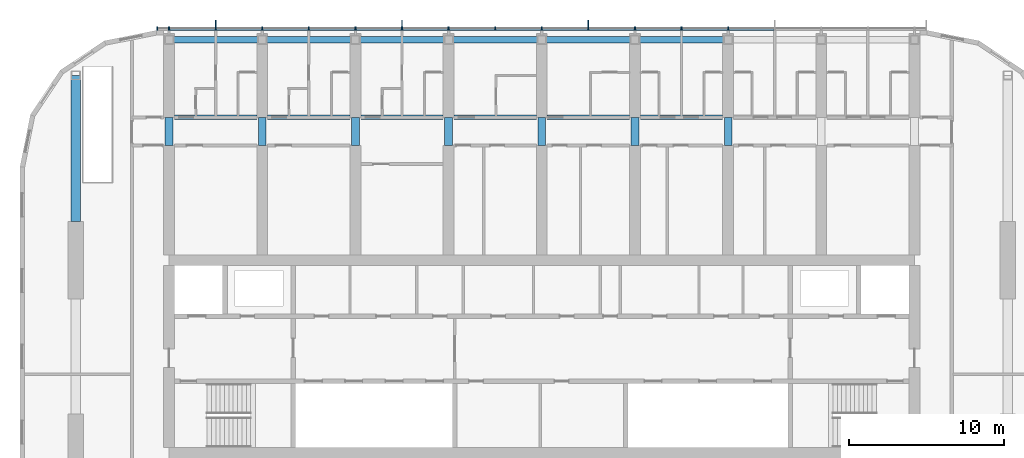
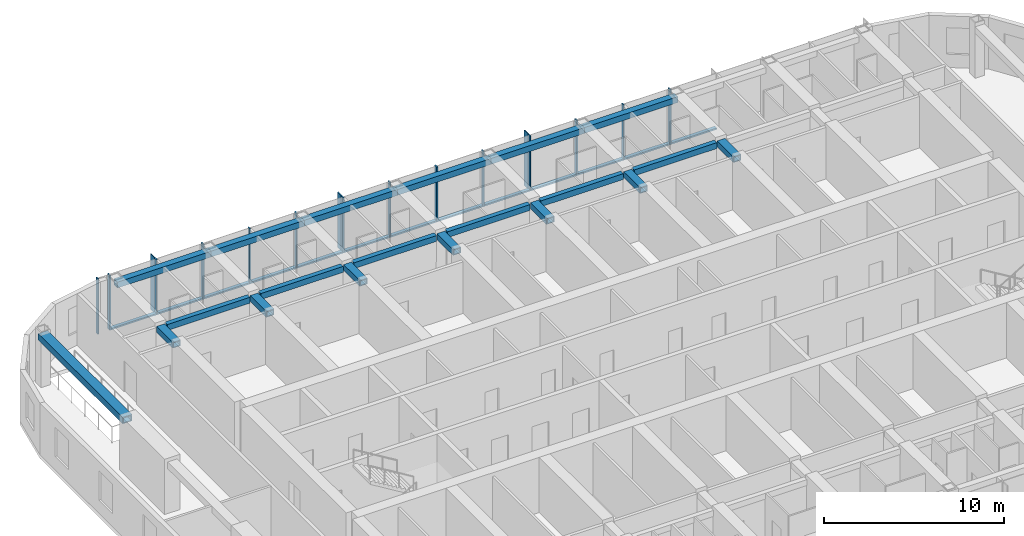
# One storey, part 4 of 24: 30 members, 20 beams, 1 element without a shape of its own.
"""IFC4 building model written with IfcOpenShell, lengths in metres."""

from ifc_helpers import new_model, si_unit, direction, frame, origin, origin_2d, place, context, subcontext, project, spatial, rectangle, hollow_rectangle, extrude, material, material_profile, profile_set, type_object, element, aggregate, save


model = new_model("IFC4")

# Units and contexts
model_context = context("Model", 3, precision=1e-05, world=origin(), true_north=direction((0.0, 1.0)))
body_context = subcontext(model_context, "Body", "Model", "MODEL_VIEW")
ifc_project = project(units=[si_unit("LENGTHUNIT", "METRE"), si_unit("AREAUNIT", "SQUARE_METRE"), si_unit("VOLUMEUNIT", "CUBIC_METRE"), si_unit("PLANEANGLEUNIT", "RADIAN"), si_unit("MASSUNIT", "GRAM", prefix="KILO")], contexts=[model_context])

# Site, building, storey
site_placement = place(None, origin())
site = spatial("IfcSite", under=ifc_project, at=site_placement, CompositionType="ELEMENT")
building_placement = place(site_placement, origin())
building = spatial("IfcBuilding", under=site, at=building_placement, Name="Orbita Commons", CompositionType="ELEMENT")
storey_placement = place(building_placement, frame((0.0, 0.0, 235.300048828125)))
storey = spatial("IfcBuildingStorey", under=building, at=storey_placement, Name="L58", CompositionType="ELEMENT", Elevation=235.300048828125)

# Curtain wall, members
ifc_material_1 = material(Name="Anodised aluminium frame, pale silver", Category="aluminium")
curtain_wall_type = type_object("IfcCurtainWallType", Name="Unitised curtain wall CW-U, full-height vision", PredefinedType="NOTDEFINED", material=ifc_material_1)
curtain_wall_placement = place(storey_placement, origin())
curtain_wall = element("IfcCurtainWall", 1, at=curtain_wall_placement, inside=storey, type_object=curtain_wall_type, Name="Curtain wall north L58", PredefinedType="NOTDEFINED")
ifc_material_2 = material(Name="Anodised aluminium, pale silver", Category="aluminium")
ifc_material_profile_1 = material_profile(ifc_material_2, rectangle(XDim=0.080078125, YDim=0.219970703125, at=origin_2d()), Name="AL 80x220")
ifc_profile_set_1 = profile_set([ifc_material_profile_1], Name="Anodised aluminium, pale silver")
member_type_1 = type_object("IfcMemberType", Name="Curtain wall mullion 80x220", PredefinedType="MULLION", material=ifc_profile_set_1)
member_1_placement = place(storey_placement, frame((54.0, 53.110107421875, -0.25), z_axis=(0.0, 0.0, 1.0), x_axis=(-1.0, 0.0, 0.0)))
member_1 = element("IfcMember", 2, at=member_1_placement, type_object=member_type_1, Name="Mullion 6 CW-L58-N", PredefinedType="MULLION", context=body_context, shape_type="SweptSolid", body=[
    extrude(rectangle(XDim=0.080078125, YDim=0.219970703125, at=origin_2d()), origin(), (0.0, 0.0, 1.0), 3.75),
])
member_2_placement = place(storey_placement, frame((51.0, 53.110107421875, -0.25), z_axis=(0.0, 0.0, 1.0), x_axis=(-1.0, 0.0, 0.0)))
member_2 = element("IfcMember", 3, at=member_2_placement, type_object=member_type_1, Name="Mullion 7 CW-L58-N", PredefinedType="MULLION", context=body_context, shape_type="SweptSolid", body=[
    extrude(rectangle(XDim=0.080078125, YDim=0.219970703125, at=origin_2d()), origin(), (0.0, 0.0, 1.0), 3.75),
])
member_3_placement = place(storey_placement, frame((48.0, 53.110107421875, -0.25), z_axis=(0.0, 0.0, 1.0), x_axis=(-1.0, 0.0, 0.0)))
member_3 = element("IfcMember", 4, at=member_3_placement, type_object=member_type_1, Name="Mullion 8 CW-L58-N", PredefinedType="MULLION", context=body_context, shape_type="SweptSolid", body=[
    extrude(rectangle(XDim=0.080078125, YDim=0.219970703125, at=origin_2d()), origin(), (0.0, 0.0, 1.0), 3.75),
])
member_4_placement = place(storey_placement, frame((45.0, 53.110107421875, -0.25), z_axis=(0.0, 0.0, 1.0), x_axis=(-1.0, 0.0, 0.0)))
member_4 = element("IfcMember", 5, at=member_4_placement, type_object=member_type_1, Name="Mullion 9 CW-L58-N", PredefinedType="MULLION", context=body_context, shape_type="SweptSolid", body=[
    extrude(rectangle(XDim=0.080078125, YDim=0.219970703125, at=origin_2d()), origin(), (0.0, 0.0, 1.0), 3.75),
])
member_5_placement = place(storey_placement, frame((42.0, 53.110107421875, -0.25), z_axis=(0.0, 0.0, 1.0), x_axis=(-1.0, 0.0, 0.0)))
member_5 = element("IfcMember", 6, at=member_5_placement, type_object=member_type_1, Name="Mullion 10 CW-L58-N", PredefinedType="MULLION", context=body_context, shape_type="SweptSolid", body=[
    extrude(rectangle(XDim=0.080078125, YDim=0.219970703125, at=origin_2d()), origin(), (0.0, 0.0, 1.0), 3.75),
])
member_6_placement = place(storey_placement, frame((39.0, 53.110107421875, -0.25), z_axis=(0.0, 0.0, 1.0), x_axis=(-1.0, 0.0, 0.0)))
member_6 = element("IfcMember", 7, at=member_6_placement, type_object=member_type_1, Name="Mullion 11 CW-L58-N", PredefinedType="MULLION", context=body_context, shape_type="SweptSolid", body=[
    extrude(rectangle(XDim=0.080078125, YDim=0.219970703125, at=origin_2d()), origin(), (0.0, 0.0, 1.0), 3.75),
])
member_7_placement = place(storey_placement, frame((36.0, 53.110107421875, -0.25), z_axis=(0.0, 0.0, 1.0), x_axis=(-1.0, 0.0, 0.0)))
member_7 = element("IfcMember", 8, at=member_7_placement, type_object=member_type_1, Name="Mullion 12 CW-L58-N", PredefinedType="MULLION", context=body_context, shape_type="SweptSolid", body=[
    extrude(rectangle(XDim=0.080078125, YDim=0.219970703125, at=origin_2d()), origin(), (0.0, 0.0, 1.0), 3.75),
])
member_8_placement = place(storey_placement, frame((33.0, 53.110107421875, -0.25), z_axis=(0.0, 0.0, 1.0), x_axis=(-1.0, 0.0, 0.0)))
member_8 = element("IfcMember", 9, at=member_8_placement, type_object=member_type_1, Name="Mullion 13 CW-L58-N", PredefinedType="MULLION", context=body_context, shape_type="SweptSolid", body=[
    extrude(rectangle(XDim=0.080078125, YDim=0.219970703125, at=origin_2d()), origin(), (0.0, 0.0, 1.0), 3.75),
])
member_9_placement = place(storey_placement, frame((30.0, 53.110107421875, -0.25), z_axis=(0.0, 0.0, 1.0), x_axis=(-1.0, 0.0, 0.0)))
member_9 = element("IfcMember", 10, at=member_9_placement, type_object=member_type_1, Name="Mullion 14 CW-L58-N", PredefinedType="MULLION", context=body_context, shape_type="SweptSolid", body=[
    extrude(rectangle(XDim=0.080078125, YDim=0.219970703125, at=origin_2d()), origin(), (0.0, 0.0, 1.0), 3.75),
])
member_10_placement = place(storey_placement, frame((27.0, 53.110107421875, -0.25), z_axis=(0.0, 0.0, 1.0), x_axis=(-1.0, 0.0, 0.0)))
member_10 = element("IfcMember", 11, at=member_10_placement, type_object=member_type_1, Name="Mullion 15 CW-L58-N", PredefinedType="MULLION", context=body_context, shape_type="SweptSolid", body=[
    extrude(rectangle(XDim=0.080078125, YDim=0.219970703125, at=origin_2d()), origin(), (0.0, 0.0, 1.0), 3.75),
])
member_11_placement = place(storey_placement, frame((24.0, 53.110107421875, -0.25), z_axis=(0.0, 0.0, 1.0), x_axis=(-1.0, 0.0, 0.0)))
member_11 = element("IfcMember", 12, at=member_11_placement, type_object=member_type_1, Name="Mullion 16 CW-L58-N", PredefinedType="MULLION", context=body_context, shape_type="SweptSolid", body=[
    extrude(rectangle(XDim=0.080078125, YDim=0.219970703125, at=origin_2d()), origin(), (0.0, 0.0, 1.0), 3.75),
])
member_12_placement = place(storey_placement, frame((21.0, 53.110107421875, -0.25), z_axis=(0.0, 0.0, 1.0), x_axis=(-1.0, 0.0, 0.0)))
member_12 = element("IfcMember", 13, at=member_12_placement, type_object=member_type_1, Name="Mullion 17 CW-L58-N", PredefinedType="MULLION", context=body_context, shape_type="SweptSolid", body=[
    extrude(rectangle(XDim=0.080078125, YDim=0.219970703125, at=origin_2d()), origin(), (0.0, 0.0, 1.0), 3.75),
])
member_13_placement = place(storey_placement, frame((18.0, 53.110107421875, -0.25), z_axis=(0.0, 0.0, 1.0), x_axis=(-1.0, 0.0, 0.0)))
member_13 = element("IfcMember", 14, at=member_13_placement, type_object=member_type_1, Name="Mullion 18 CW-L58-N", PredefinedType="MULLION", context=body_context, shape_type="SweptSolid", body=[
    extrude(rectangle(XDim=0.080078125, YDim=0.219970703125, at=origin_2d()), origin(), (0.0, 0.0, 1.0), 3.75),
])
member_14_placement = place(storey_placement, frame((17.239990234375, 53.110107421875, -0.25), z_axis=(0.0, 0.0, 1.0), x_axis=(-1.0, 0.0, 0.0)))
member_14 = element("IfcMember", 15, at=member_14_placement, type_object=member_type_1, Name="Mullion 19 CW-L58-N", PredefinedType="MULLION", context=body_context, shape_type="SweptSolid", body=[
    extrude(rectangle(XDim=0.080078125, YDim=0.219970703125, at=origin_2d()), origin(), (0.0, 0.0, 1.0), 3.75),
])
ifc_material_3 = material(Name="Anodised aluminium, pale silver", Category="aluminium")
ifc_material_profile_2 = material_profile(ifc_material_3, rectangle(XDim=0.219970703125, YDim=0.10009765625, at=origin_2d()), Name="AL 220x100")
ifc_profile_set_2 = profile_set([ifc_material_profile_2], Name="Anodised aluminium, pale silver")
member_type_2 = type_object("IfcMemberType", Name="Curtain wall stack transom 220x100", PredefinedType="USERDEFINED", material=ifc_profile_set_2)
member_15_placement = place(storey_placement, frame((56.9599609375, 53.110107421875, -0.199951171875), z_axis=(-1.0, 0.0, 0.0), x_axis=(0.0, -1.0, 0.0)))
member_15 = element("IfcMember", 16, at=member_15_placement, type_object=member_type_2, Name="Transom 5.1 CW-L58-N", ObjectType="TRANSOM", PredefinedType="USERDEFINED", context=body_context, shape_type="SweptSolid", body=[
    extrude(rectangle(XDim=0.219970703125, YDim=0.10009765625, at=origin_2d()), origin(), (0.0, 0.0, 1.0), 2.919921875),
])
member_16_placement = place(storey_placement, frame((53.9599609375, 53.110107421875, -0.199951171875), z_axis=(-1.0, 0.0, 0.0), x_axis=(0.0, -1.0, 0.0)))
member_16 = element("IfcMember", 17, at=member_16_placement, type_object=member_type_2, Name="Transom 6.1 CW-L58-N", ObjectType="TRANSOM", PredefinedType="USERDEFINED", context=body_context, shape_type="SweptSolid", body=[
    extrude(rectangle(XDim=0.219970703125, YDim=0.10009765625, at=origin_2d()), origin(), (0.0, 0.0, 1.0), 2.919921875),
])
member_17_placement = place(storey_placement, frame((50.9599609375, 53.110107421875, -0.199951171875), z_axis=(-1.0, 0.0, 0.0), x_axis=(0.0, -1.0, 0.0)))
member_17 = element("IfcMember", 18, at=member_17_placement, type_object=member_type_2, Name="Transom 7.1 CW-L58-N", ObjectType="TRANSOM", PredefinedType="USERDEFINED", context=body_context, shape_type="SweptSolid", body=[
    extrude(rectangle(XDim=0.219970703125, YDim=0.10009765625, at=origin_2d()), origin(), (0.0, 0.0, 1.0), 2.919921875),
])
member_18_placement = place(storey_placement, frame((47.9599609375, 53.110107421875, -0.199951171875), z_axis=(-1.0, 0.0, 0.0), x_axis=(0.0, -1.0, 0.0)))
member_18 = element("IfcMember", 19, at=member_18_placement, type_object=member_type_2, Name="Transom 8.1 CW-L58-N", ObjectType="TRANSOM", PredefinedType="USERDEFINED", context=body_context, shape_type="SweptSolid", body=[
    extrude(rectangle(XDim=0.219970703125, YDim=0.10009765625, at=origin_2d()), origin(), (0.0, 0.0, 1.0), 2.919921875),
])
member_19_placement = place(storey_placement, frame((44.9599609375, 53.110107421875, -0.199951171875), z_axis=(-1.0, 0.0, 0.0), x_axis=(0.0, -1.0, 0.0)))
member_19 = element("IfcMember", 20, at=member_19_placement, type_object=member_type_2, Name="Transom 9.1 CW-L58-N", ObjectType="TRANSOM", PredefinedType="USERDEFINED", context=body_context, shape_type="SweptSolid", body=[
    extrude(rectangle(XDim=0.219970703125, YDim=0.10009765625, at=origin_2d()), origin(), (0.0, 0.0, 1.0), 2.919921875),
])
member_20_placement = place(storey_placement, frame((41.9599609375, 53.110107421875, -0.199951171875), z_axis=(-1.0, 0.0, 0.0), x_axis=(0.0, -1.0, 0.0)))
member_20 = element("IfcMember", 21, at=member_20_placement, type_object=member_type_2, Name="Transom 10.1 CW-L58-N", ObjectType="TRANSOM", PredefinedType="USERDEFINED", context=body_context, shape_type="SweptSolid", body=[
    extrude(rectangle(XDim=0.219970703125, YDim=0.10009765625, at=origin_2d()), origin(), (0.0, 0.0, 1.0), 2.919921875),
])
member_21_placement = place(storey_placement, frame((38.9599609375, 53.110107421875, -0.199951171875), z_axis=(-1.0, 0.0, 0.0), x_axis=(0.0, -1.0, 0.0)))
member_21 = element("IfcMember", 22, at=member_21_placement, type_object=member_type_2, Name="Transom 11.1 CW-L58-N", ObjectType="TRANSOM", PredefinedType="USERDEFINED", context=body_context, shape_type="SweptSolid", body=[
    extrude(rectangle(XDim=0.219970703125, YDim=0.10009765625, at=origin_2d()), origin(), (0.0, 0.0, 1.0), 2.919921875),
])
member_22_placement = place(storey_placement, frame((35.9599609375, 53.110107421875, -0.199951171875), z_axis=(-1.0, 0.0, 0.0), x_axis=(0.0, -1.0, 0.0)))
member_22 = element("IfcMember", 23, at=member_22_placement, type_object=member_type_2, Name="Transom 12.1 CW-L58-N", ObjectType="TRANSOM", PredefinedType="USERDEFINED", context=body_context, shape_type="SweptSolid", body=[
    extrude(rectangle(XDim=0.219970703125, YDim=0.10009765625, at=origin_2d()), origin(), (0.0, 0.0, 1.0), 2.919921875),
])
member_23_placement = place(storey_placement, frame((32.9599609375, 53.110107421875, -0.199951171875), z_axis=(-1.0, 0.0, 0.0), x_axis=(0.0, -1.0, 0.0)))
member_23 = element("IfcMember", 24, at=member_23_placement, type_object=member_type_2, Name="Transom 13.1 CW-L58-N", ObjectType="TRANSOM", PredefinedType="USERDEFINED", context=body_context, shape_type="SweptSolid", body=[
    extrude(rectangle(XDim=0.219970703125, YDim=0.10009765625, at=origin_2d()), origin(), (0.0, 0.0, 1.0), 2.919921875),
])
member_24_placement = place(storey_placement, frame((29.9599609375, 53.110107421875, -0.199951171875), z_axis=(-1.0, 0.0, 0.0), x_axis=(0.0, -1.0, 0.0)))
member_24 = element("IfcMember", 25, at=member_24_placement, type_object=member_type_2, Name="Transom 14.1 CW-L58-N", ObjectType="TRANSOM", PredefinedType="USERDEFINED", context=body_context, shape_type="SweptSolid", body=[
    extrude(rectangle(XDim=0.219970703125, YDim=0.10009765625, at=origin_2d()), origin(), (0.0, 0.0, 1.0), 2.919921875),
])
member_25_placement = place(storey_placement, frame((26.9599609375, 53.110107421875, -0.199951171875), z_axis=(-1.0, 0.0, 0.0), x_axis=(0.0, -1.0, 0.0)))
member_25 = element("IfcMember", 26, at=member_25_placement, type_object=member_type_2, Name="Transom 15.1 CW-L58-N", ObjectType="TRANSOM", PredefinedType="USERDEFINED", context=body_context, shape_type="SweptSolid", body=[
    extrude(rectangle(XDim=0.219970703125, YDim=0.10009765625, at=origin_2d()), origin(), (0.0, 0.0, 1.0), 2.919921875),
])
member_26_placement = place(storey_placement, frame((23.9599609375, 53.110107421875, -0.199951171875), z_axis=(-1.0, 0.0, 0.0), x_axis=(0.0, -1.0, 0.0)))
member_26 = element("IfcMember", 27, at=member_26_placement, type_object=member_type_2, Name="Transom 16.1 CW-L58-N", ObjectType="TRANSOM", PredefinedType="USERDEFINED", context=body_context, shape_type="SweptSolid", body=[
    extrude(rectangle(XDim=0.219970703125, YDim=0.10009765625, at=origin_2d()), origin(), (0.0, 0.0, 1.0), 2.919921875),
])
member_27_placement = place(storey_placement, frame((20.9599609375, 53.110107421875, -0.199951171875), z_axis=(-1.0, 0.0, 0.0), x_axis=(0.0, -1.0, 0.0)))
member_27 = element("IfcMember", 28, at=member_27_placement, type_object=member_type_2, Name="Transom 17.1 CW-L58-N", ObjectType="TRANSOM", PredefinedType="USERDEFINED", context=body_context, shape_type="SweptSolid", body=[
    extrude(rectangle(XDim=0.219970703125, YDim=0.10009765625, at=origin_2d()), origin(), (0.0, 0.0, 1.0), 2.919921875),
])

# Beams
ifc_material_4 = material(Name="Steel ASTM A572 Gr 50 welded plate", Category="steel")
ifc_material_profile_3 = material_profile(ifc_material_4, hollow_rectangle(XDim=0.300048828125, YDim=0.39990234375, WallThickness=0.0400390625, at=origin_2d()), Name="BOX 400x300x40")
ifc_profile_set_3 = profile_set([ifc_material_profile_3], Name="Steel ASTM A572 Gr 50 welded plate")
beam_type_1 = type_object("IfcBeamType", Name="Steel corridor link BOX 400x300x40", PredefinedType="BEAM", material=ifc_profile_set_3)
for number, where, z_axis, x_axis, name in (
    (29, (18.35009765625, 47.39990234375, 3.300048828125), (1.0, 0.0, 0.0), (0.0, 1.0, 0.0), "Corridor beam NB 4-5 L58"),
    (30, (24.35009765625, 47.39990234375, 3.300048828125), (1.0, 0.0, 0.0), (0.0, 1.0, 0.0), "Corridor beam NB 5-6 L58"),
    (31, (30.35009765625, 47.39990234375, 3.300048828125), (1.0, 0.0, 0.0), (0.0, 1.0, 0.0), "Corridor beam NB 6-7 L58"),
    (32, (36.35009765625, 47.39990234375, 3.300048828125), (1.0, 0.0, 0.0), (0.0, 1.0, 0.0), "Corridor beam NB 7-8 L58"),
    (33, (42.35009765625, 47.39990234375, 3.300048828125), (1.0, 0.0, 0.0), (0.0, 1.0, 0.0), "Corridor beam NB 8-9 L58"),
    (34, (48.35009765625, 47.39990234375, 3.300048828125), (1.0, 0.0, 0.0), (0.0, 1.0, 0.0), "Corridor beam NB 9-10 L58"),
):
    element("IfcBeam", number, at=place(storey_placement, frame(where, z_axis=z_axis, x_axis=x_axis)), inside=storey, type_object=beam_type_1, Name=name, PredefinedType="BEAM", context=body_context, shape_type="SweptSolid", body=[
        extrude(hollow_rectangle(XDim=0.300048828125, YDim=0.39990234375, WallThickness=0.0400390625, at=origin_2d()), origin(), (0.0, 0.0, 1.0), 5.2998046875),
    ])
ifc_material_5 = material(Name="Steel ASTM A572 Gr 50 welded plate", Category="steel")
ifc_material_profile_4 = material_profile(ifc_material_5, hollow_rectangle(XDim=0.5, YDim=0.39990234375, WallThickness=0.050048828125, at=origin_2d()), Name="BOX 400x500x50")
ifc_profile_set_4 = profile_set([ifc_material_profile_4], Name="Steel ASTM A572 Gr 50 welded plate")
beam_type_2 = type_object("IfcBeamType", Name="Steel coupling link BOX 400x500x50", PredefinedType="LINTEL", material=ifc_profile_set_4)
for number, where, z_axis, x_axis, name in (
    (35, (18.0, 45.60009765625, 3.300048828125), (0.0, 1.0, 0.0), (-1.0, 0.0, 0.0), "Coupling beam 4 north L58"),
    (36, (24.0, 45.60009765625, 3.300048828125), (0.0, 1.0, 0.0), (-1.0, 0.0, 0.0), "Coupling beam 5 north L58"),
    (37, (30.0, 45.60009765625, 3.300048828125), (0.0, 1.0, 0.0), (-1.0, 0.0, 0.0), "Coupling beam 6 north L58"),
    (38, (36.0, 45.60009765625, 3.300048828125), (0.0, 1.0, 0.0), (-1.0, 0.0, 0.0), "Coupling beam 7 north L58"),
    (39, (42.0, 45.60009765625, 3.300048828125), (0.0, 1.0, 0.0), (-1.0, 0.0, 0.0), "Coupling beam 8 north L58"),
    (40, (48.0, 45.60009765625, 3.300048828125), (0.0, 1.0, 0.0), (-1.0, 0.0, 0.0), "Coupling beam 9 north L58"),
    (41, (54.0, 45.60009765625, 3.300048828125), (0.0, 1.0, 0.0), (-1.0, 0.0, 0.0), "Coupling beam 10 north L58"),
):
    element("IfcBeam", number, at=place(storey_placement, frame(where, z_axis=z_axis, x_axis=x_axis)), inside=storey, type_object=beam_type_2, Name=name, PredefinedType="LINTEL", context=body_context, shape_type="SweptSolid", body=[
        extrude(hollow_rectangle(XDim=0.5, YDim=0.39990234375, WallThickness=0.050048828125, at=origin_2d()), origin(), (0.0, 0.0, 1.0), 1.7998046875),
    ])
ifc_material_6 = material(Name="Steel ASTM A572 Gr 50 welded plate", Category="steel")
ifc_material_profile_5 = material_profile(ifc_material_6, hollow_rectangle(XDim=0.60009765625, YDim=0.449951171875, WallThickness=0.06005859375, at=origin_2d()), Name="BOX 450x600x60")
ifc_profile_set_5 = profile_set([ifc_material_profile_5], Name="Steel ASTM A572 Gr 50 welded plate")
beam_type_3 = type_object("IfcBeamType", Name="Steel end frame link BOX 450x600x60", PredefinedType="BEAM", material=ifc_profile_set_5)
beam_placement = place(storey_placement, frame((12.0, 40.699951171875, 3.27490234375), z_axis=(0.0, 1.0, 0.0), x_axis=(-1.0, 0.0, 0.0)))
element("IfcBeam", 42, at=beam_placement, inside=storey, type_object=beam_type_3, Name="End frame beam 3 D-E L58", PredefinedType="BEAM", context=body_context, shape_type="SweptSolid", body=[
    extrude(hollow_rectangle(XDim=0.60009765625, YDim=0.449951171875, WallThickness=0.06005859375, at=origin_2d()), origin(), (0.0, 0.0, 1.0), 9.400146484375),
])
ifc_material_7 = material(Name="Steel ASTM A572 Gr 50 welded plate", Category="steel")
ifc_material_profile_6 = material_profile(ifc_material_7, hollow_rectangle(XDim=0.39990234375, YDim=0.39990234375, WallThickness=0.0400390625, at=origin_2d()), Name="BOX 400x400x40")
ifc_profile_set_6 = profile_set([ifc_material_profile_6], Name="Steel ASTM A572 Gr 50 welded plate")
beam_type_4 = type_object("IfcBeamType", Name="Steel spandrel BOX 400x400x40", PredefinedType="SPANDREL", material=ifc_profile_set_6)
for number, where, z_axis, x_axis, name in (
    (43, (18.0, 52.39990234375, 3.300048828125), (1.0, 0.0, 0.0), (0.0, 1.0, 0.0), "Spandrel beam E 4-5 L58"),
    (44, (24.0, 52.39990234375, 3.300048828125), (1.0, 0.0, 0.0), (0.0, 1.0, 0.0), "Spandrel beam E 5-6 L58"),
    (45, (30.0, 52.39990234375, 3.300048828125), (1.0, 0.0, 0.0), (0.0, 1.0, 0.0), "Spandrel beam E 6-7 L58"),
    (46, (36.0, 52.39990234375, 3.300048828125), (1.0, 0.0, 0.0), (0.0, 1.0, 0.0), "Spandrel beam E 7-8 L58"),
    (47, (42.0, 52.39990234375, 3.300048828125), (1.0, 0.0, 0.0), (0.0, 1.0, 0.0), "Spandrel beam E 8-9 L58"),
    (48, (48.0, 52.39990234375, 3.300048828125), (1.0, 0.0, 0.0), (0.0, 1.0, 0.0), "Spandrel beam E 9-10 L58"),
):
    element("IfcBeam", number, at=place(storey_placement, frame(where, z_axis=z_axis, x_axis=x_axis)), inside=storey, type_object=beam_type_4, Name=name, PredefinedType="SPANDREL", context=body_context, shape_type="SweptSolid", body=[
        extrude(hollow_rectangle(XDim=0.39990234375, YDim=0.39990234375, WallThickness=0.0400390625, at=origin_2d()), origin(), (0.0, 0.0, 1.0), 6.0),
    ])

# Member
ifc_material_8 = material(Name="Anodised aluminium, pale silver", Category="aluminium")
ifc_material_profile_7 = material_profile(ifc_material_8, rectangle(XDim=0.06005859375, YDim=0.449951171875, at=origin_2d()), Name="FIN 60x450")
ifc_profile_set_7 = profile_set([ifc_material_profile_7], Name="Anodised aluminium, pale silver")
member_type_3 = type_object("IfcMemberType", Name="Vertical fin 60x450 pale aluminium", PredefinedType="USERDEFINED", material=ifc_profile_set_7)
member_28_placement = place(storey_placement, frame((45.0, 53.445068359375, -0.25), z_axis=(0.0, 0.0, 1.0), x_axis=(-1.0, 0.0, 0.0)))
member_28 = element("IfcMember", 49, at=member_28_placement, type_object=member_type_3, Name="Fin 9 CW-L58-N", ObjectType="FIN", PredefinedType="USERDEFINED", context=body_context, shape_type="SweptSolid", body=[
    extrude(rectangle(XDim=0.06005859375, YDim=0.449951171875, at=origin_2d()), origin(), (0.0, 0.0, 1.0), 3.75),
])

member_29_placement = place(storey_placement, frame((33.0, 53.445068359375, -0.25), z_axis=(0.0, 0.0, 1.0), x_axis=(-1.0, 0.0, 0.0)))
member_29 = element("IfcMember", 50, at=member_29_placement, type_object=member_type_3, Name="Fin 13 CW-L58-N", ObjectType="FIN", PredefinedType="USERDEFINED", context=body_context, shape_type="SweptSolid", body=[
    extrude(rectangle(XDim=0.06005859375, YDim=0.449951171875, at=origin_2d()), origin(), (0.0, 0.0, 1.0), 3.75),
])

member_30_placement = place(storey_placement, frame((21.0, 53.445068359375, -0.25), z_axis=(0.0, 0.0, 1.0), x_axis=(-1.0, 0.0, 0.0)))
member_30 = element("IfcMember", 51, at=member_30_placement, type_object=member_type_3, Name="Fin 17 CW-L58-N", ObjectType="FIN", PredefinedType="USERDEFINED", context=body_context, shape_type="SweptSolid", body=[
    extrude(rectangle(XDim=0.06005859375, YDim=0.449951171875, at=origin_2d()), origin(), (0.0, 0.0, 1.0), 3.75),
])

aggregate(curtain_wall, [member_1, member_2, member_3, member_4, member_28, member_5, member_6, member_7, member_8, member_29, member_9, member_10, member_11, member_12, member_30, member_13, member_14, member_15, member_16, member_17, member_18, member_19, member_20, member_21, member_22, member_23, member_24, member_25, member_26, member_27])

save(model, "model.ifc")
